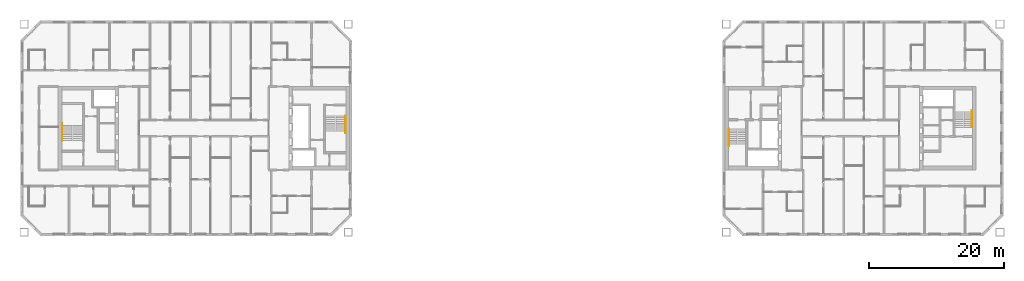
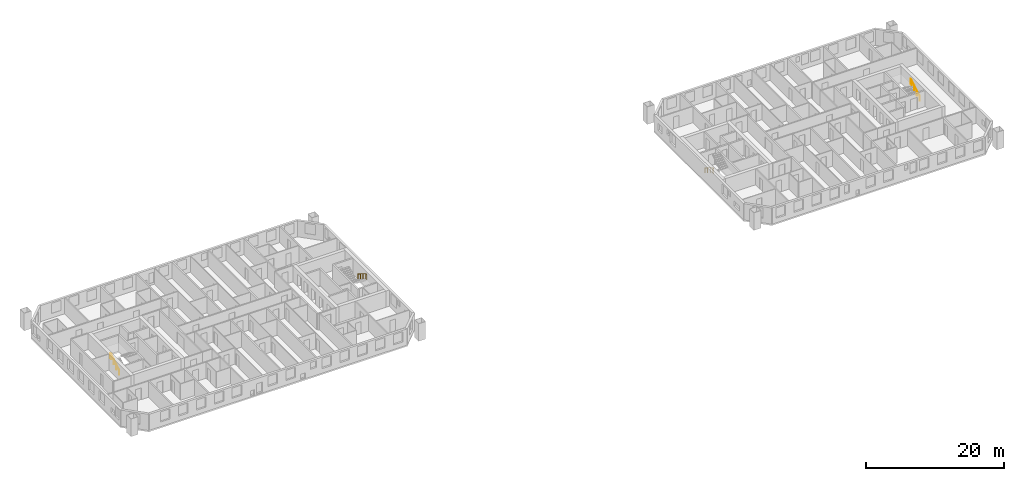
# One storey, part 16 of 16: 4 railings.
"""IFC4 building model written with IfcOpenShell, lengths in metres."""

from ifc_helpers import new_model, si_unit, direction, frame, origin, origin_2d, place, context, subcontext, project, spatial, circle, extrude, material, type_object, element, save


model = new_model("IFC4")

# Units and contexts
model_context = context("Model", 3, precision=1e-05, world=origin(), true_north=direction((0.0, 1.0)))
body_context = subcontext(model_context, "Body", "Model", "MODEL_VIEW")
ifc_project = project(units=[si_unit("LENGTHUNIT", "METRE"), si_unit("AREAUNIT", "SQUARE_METRE"), si_unit("VOLUMEUNIT", "CUBIC_METRE"), si_unit("PLANEANGLEUNIT", "RADIAN"), si_unit("MASSUNIT", "GRAM", prefix="KILO")], contexts=[model_context])

# Site, building, storey
site_placement = place(None, origin())
site = spatial("IfcSite", under=ifc_project, at=site_placement, CompositionType="ELEMENT")
building_placement = place(site_placement, origin())
building = spatial("IfcBuilding", under=site, at=building_placement, Name="Tuart Gate Housing", CompositionType="ELEMENT")
storey_placement = place(building_placement, frame((0.0, 0.0, 136.10009765625)))
storey = spatial("IfcBuildingStorey", under=building, at=storey_placement, Name="L38", CompositionType="ELEMENT", Elevation=136.10009765625)

# Railings
ifc_material = material(Name="Stainless steel", Category="steel")
railing_type = type_object("IfcRailingType", Name="Stair handrail 900", PredefinedType="HANDRAIL", material=ifc_material)
railing_1_placement = place(storey_placement, frame((75.030029296875, 71.824951171875, 0.172119140625)))
element("IfcRailing", 1, at=railing_1_placement, inside=storey, type_object=railing_type, Name="Stair handrail SA1.1", PredefinedType="HANDRAIL", context=body_context, shape_type="SweptSolid", body=[
    extrude(circle(Radius=0.02392578125, at=origin_2d()), frame((0.0, 0.0, 0.8759765625), z_axis=(0.0, -0.85178898068, 0.523885037382), x_axis=(1.0, 0.0, 0.0)), (0.0, 0.0, 1.0), 2.629638671875),
    extrude(circle(Radius=0.02392578125, at=origin_2d()), frame((0.0, -2.239990234375, 2.25341796875), z_axis=(0.0, -1.0, 0.0), x_axis=(1.0, 0.0, 0.0)), (0.0, 0.0, 1.0), 0.300048828125),
    extrude(circle(Radius=0.02099609375, at=origin_2d()), origin(), (0.0, 0.0, 1.0), 0.851806640625),
    extrude(circle(Radius=0.02099609375, at=origin_2d()), frame((0.0, -0.74658203125, 0.459228515625)), (0.0, 0.0, 1.0), 0.851806640625),
    extrude(circle(Radius=0.02099609375, at=origin_2d()), frame((0.0, -1.493408203125, 0.91845703125)), (0.0, 0.0, 1.0), 0.851806640625),
    extrude(circle(Radius=0.02099609375, at=origin_2d()), frame((0.0, -2.239990234375, 1.377685546875)), (0.0, 0.0, 1.0), 0.851806640625),
    extrude(circle(Radius=0.02099609375, at=origin_2d()), frame((0.0, -2.5400390625, 1.377685546875)), (0.0, 0.0, 1.0), 0.851806640625),
])
railing_2_placement = place(storey_placement, frame((32.969970703125, 68.175048828125, 0.172119140625)))
element("IfcRailing", 2, at=railing_2_placement, inside=storey, type_object=railing_type, Name="Stair handrail SA2.1", PredefinedType="HANDRAIL", context=body_context, shape_type="SweptSolid", body=[
    extrude(circle(Radius=0.02392578125, at=origin_2d()), frame((0.0, 0.0, 0.8759765625), z_axis=(0.0, 0.85178898068, 0.523885037382), x_axis=(-1.0, 0.0, 0.0)), (0.0, 0.0, 1.0), 2.629638671875),
    extrude(circle(Radius=0.02392578125, at=origin_2d()), frame((0.0, 2.239990234375, 2.25341796875), z_axis=(0.0, 1.0, 0.0), x_axis=(-1.0, 0.0, 0.0)), (0.0, 0.0, 1.0), 0.300048828125),
    extrude(circle(Radius=0.02099609375, at=origin_2d()), origin(), (0.0, 0.0, 1.0), 0.851806640625),
    extrude(circle(Radius=0.02099609375, at=origin_2d()), frame((0.0, 0.74658203125, 0.459228515625)), (0.0, 0.0, 1.0), 0.851806640625),
    extrude(circle(Radius=0.02099609375, at=origin_2d()), frame((0.0, 1.493408203125, 0.91845703125)), (0.0, 0.0, 1.0), 0.851806640625),
    extrude(circle(Radius=0.02099609375, at=origin_2d()), frame((0.0, 2.239990234375, 1.377685546875)), (0.0, 0.0, 1.0), 0.851806640625),
    extrude(circle(Radius=0.02099609375, at=origin_2d()), frame((0.0, 2.5400390625, 1.377685546875)), (0.0, 0.0, 1.0), 0.851806640625),
])
railing_3_placement = place(storey_placement, frame((131.969970703125, 69.875, 0.172119140625)))
element("IfcRailing", 3, at=railing_3_placement, inside=storey, type_object=railing_type, Name="Stair handrail SB1.1", PredefinedType="HANDRAIL", context=body_context, shape_type="SweptSolid", body=[
    extrude(circle(Radius=0.02392578125, at=origin_2d()), frame((0.0, 0.0, 0.8759765625), z_axis=(0.0, -0.85178898068, 0.523885037382), x_axis=(1.0, 0.0, 0.0)), (0.0, 0.0, 1.0), 2.629638671875),
    extrude(circle(Radius=0.02392578125, at=origin_2d()), frame((0.0, -2.239990234375, 2.25341796875), z_axis=(0.0, -1.0, 0.0), x_axis=(1.0, 0.0, 0.0)), (0.0, 0.0, 1.0), 0.300048828125),
    extrude(circle(Radius=0.02099609375, at=origin_2d()), origin(), (0.0, 0.0, 1.0), 0.851806640625),
    extrude(circle(Radius=0.02099609375, at=origin_2d()), frame((0.0, -0.74658203125, 0.459228515625)), (0.0, 0.0, 1.0), 0.851806640625),
    extrude(circle(Radius=0.02099609375, at=origin_2d()), frame((0.0, -1.493408203125, 0.91845703125)), (0.0, 0.0, 1.0), 0.851806640625),
    extrude(circle(Radius=0.02099609375, at=origin_2d()), frame((0.0, -2.239990234375, 1.377685546875)), (0.0, 0.0, 1.0), 0.851806640625),
    extrude(circle(Radius=0.02099609375, at=origin_2d()), frame((0.0, -2.5400390625, 1.377685546875)), (0.0, 0.0, 1.0), 0.851806640625),
])
railing_4_placement = place(storey_placement, frame((168.030029296875, 70.125, 0.172119140625)))
element("IfcRailing", 4, at=railing_4_placement, inside=storey, type_object=railing_type, Name="Stair handrail SB2.1", PredefinedType="HANDRAIL", context=body_context, shape_type="SweptSolid", body=[
    extrude(circle(Radius=0.02392578125, at=origin_2d()), frame((0.0, 0.0, 0.8759765625), z_axis=(0.0, 0.85178898068, 0.523885037382), x_axis=(-1.0, 0.0, 0.0)), (0.0, 0.0, 1.0), 2.629638671875),
    extrude(circle(Radius=0.02392578125, at=origin_2d()), frame((0.0, 2.239990234375, 2.25341796875), z_axis=(0.0, 1.0, 0.0), x_axis=(-1.0, 0.0, 0.0)), (0.0, 0.0, 1.0), 0.300048828125),
    extrude(circle(Radius=0.02099609375, at=origin_2d()), origin(), (0.0, 0.0, 1.0), 0.851806640625),
    extrude(circle(Radius=0.02099609375, at=origin_2d()), frame((0.0, 0.74658203125, 0.459228515625)), (0.0, 0.0, 1.0), 0.851806640625),
    extrude(circle(Radius=0.02099609375, at=origin_2d()), frame((0.0, 1.493408203125, 0.91845703125)), (0.0, 0.0, 1.0), 0.851806640625),
    extrude(circle(Radius=0.02099609375, at=origin_2d()), frame((0.0, 2.239990234375, 1.377685546875)), (0.0, 0.0, 1.0), 0.851806640625),
    extrude(circle(Radius=0.02099609375, at=origin_2d()), frame((0.0, 2.5400390625, 1.377685546875)), (0.0, 0.0, 1.0), 0.851806640625),
])

save(model, "model.ifc")
